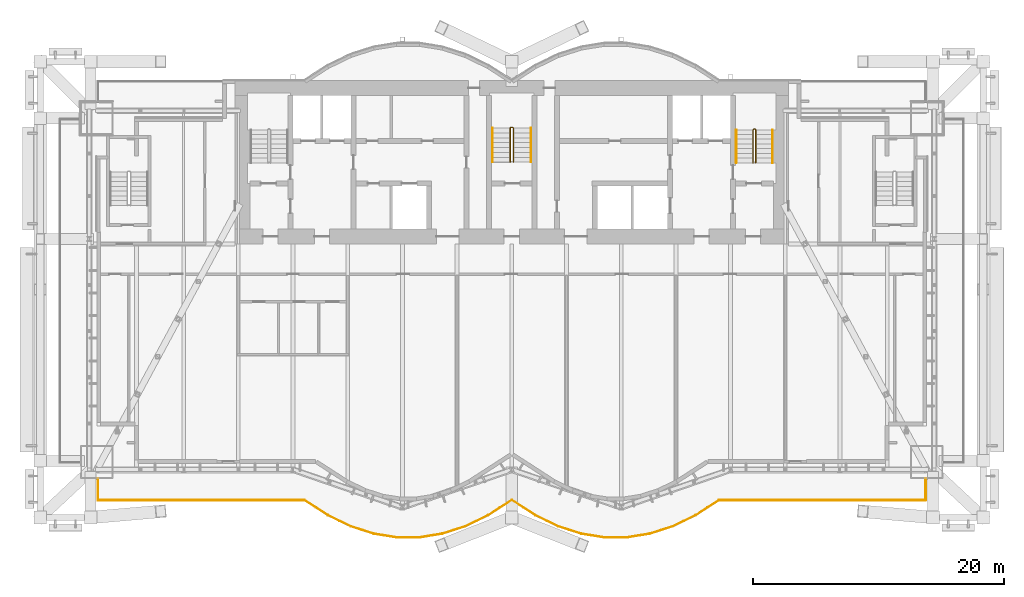
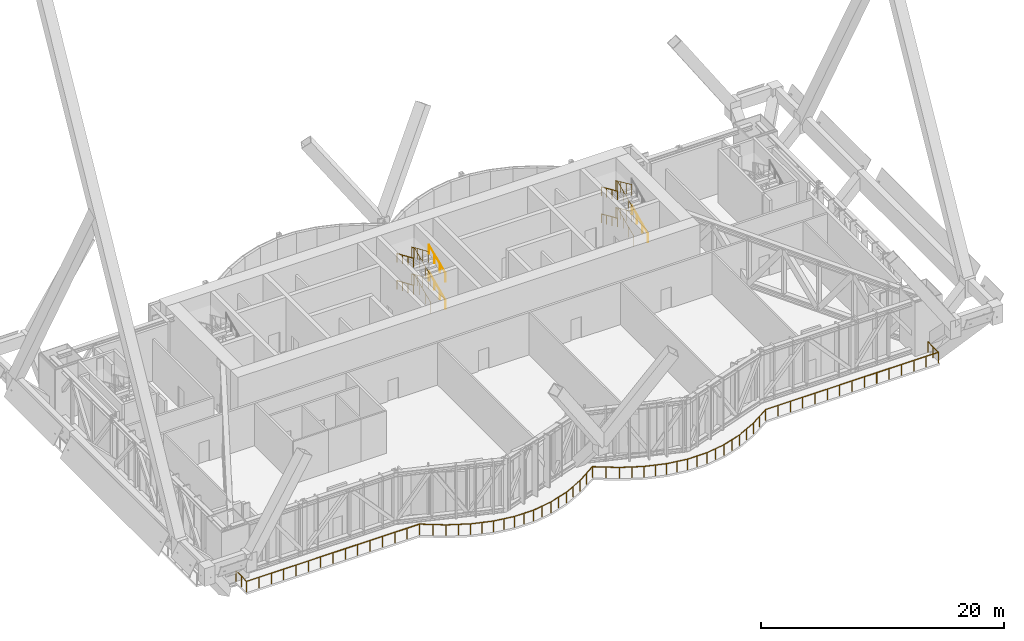
# One storey, part 29 of 30: 12 railings.
"""IFC4 building model written with IfcOpenShell, lengths in metres."""

from ifc_helpers import new_model, si_unit, direction, frame, origin, origin_2d, place, context, subcontext, project, spatial, circle, extrude, material, type_object, element, save


model = new_model("IFC4")

# Units and contexts
model_context = context("Model", 3, precision=1e-05, world=origin(), true_north=direction((0.0, 1.0)))
body_context = subcontext(model_context, "Body", "Model", "MODEL_VIEW")
ifc_project = project(units=[si_unit("LENGTHUNIT", "METRE"), si_unit("AREAUNIT", "SQUARE_METRE"), si_unit("VOLUMEUNIT", "CUBIC_METRE"), si_unit("PLANEANGLEUNIT", "RADIAN"), si_unit("MASSUNIT", "GRAM", prefix="KILO")], contexts=[model_context])

# Site, building, storey
site_placement = place(None, origin())
site = spatial("IfcSite", under=ifc_project, at=site_placement, CompositionType="ELEMENT")
building_placement = place(site_placement, origin())
building = spatial("IfcBuilding", under=site, at=building_placement, Name="Bicima Exchange Tower", CompositionType="ELEMENT")
storey_placement = place(building_placement, frame((0.0, 0.0, 185.5)))
storey = spatial("IfcBuildingStorey", under=building, at=storey_placement, Name="L41", CompositionType="ELEMENT", Elevation=185.5)

# Railings
ifc_material_1 = material(Name="Stainless steel", Category="steel")
railing_type_1 = type_object("IfcRailingType", Name="Stair guard 1100", PredefinedType="GUARDRAIL", material=ifc_material_1)
railing_1_placement = place(storey_placement, frame((0.125, -6.5, 0.168701171875)))
element("IfcRailing", 1, at=railing_1_placement, inside=storey, type_object=railing_type_1, Name="L41 ST-C stair guard 1", PredefinedType="GUARDRAIL", context=body_context, shape_type="SweptSolid", body=[
    extrude(circle(Radius=0.02392578125, at=origin_2d()), frame((0.0, 0.0, 1.076171875), z_axis=(0.0, 0.917217895875, 0.398385907741), x_axis=(-1.0, 0.0, 0.0)), (0.0, 0.0, 1.0), 2.965576171875),
    extrude(circle(Radius=0.02392578125, at=origin_2d()), frame((0.0, 2.719970703125, 2.25732421875), z_axis=(-0.707106781187, 0.707106781187, 0.0), x_axis=(-0.707106781187, -0.707106781187, 0.0)), (0.0, 0.0, 1.0), 0.07080078125),
    extrude(circle(Radius=0.02392578125, at=origin_2d()), frame((-0.050048828125, 2.77001953125, 2.25732421875), z_axis=(-1.0, 0.0, 0.0), x_axis=(0.0, -1.0, 0.0)), (0.0, 0.0, 1.0), 0.14990234375),
    extrude(circle(Radius=0.02392578125, at=origin_2d()), frame((-0.199951171875, 2.77001953125, 2.25732421875), z_axis=(-0.273569069059, -0.273569069059, 0.922127935218), x_axis=(0.707106781187, -0.707106781187, 0.0)), (0.0, 0.0, 1.0), 0.182861328125),
    extrude(circle(Radius=0.02392578125, at=origin_2d()), frame((-0.25, 2.719970703125, 2.42626953125), z_axis=(0.0, -0.917247977502, 0.398316642595), x_axis=(1.0, 0.0, 0.0)), (0.0, 0.0, 1.0), 2.96533203125),
    extrude(circle(Radius=0.02099609375, at=origin_2d()), origin(), (0.0, 0.0, 1.0), 1.052001953125),
    extrude(circle(Radius=0.02099609375, at=origin_2d()), frame((0.0, 0.90673828125, 0.393798828125)), (0.0, 0.0, 1.0), 1.052001953125),
    extrude(circle(Radius=0.02099609375, at=origin_2d()), frame((0.0, 1.813232421875, 0.78759765625)), (0.0, 0.0, 1.0), 1.052001953125),
    extrude(circle(Radius=0.02099609375, at=origin_2d()), frame((0.0, 2.719970703125, 1.181396484375)), (0.0, 0.0, 1.0), 1.052001953125),
    extrude(circle(Radius=0.02099609375, at=origin_2d()), frame((-0.050048828125, 2.77001953125, 1.181396484375)), (0.0, 0.0, 1.0), 1.052001953125),
    extrude(circle(Radius=0.02099609375, at=origin_2d()), frame((-0.199951171875, 2.77001953125, 1.181396484375)), (0.0, 0.0, 1.0), 1.052001953125),
    extrude(circle(Radius=0.02099609375, at=origin_2d()), frame((-0.25, 2.719970703125, 1.35009765625)), (0.0, 0.0, 1.0), 1.052001953125),
    extrude(circle(Radius=0.02099609375, at=origin_2d()), frame((-0.25, 1.813232421875, 1.743896484375)), (0.0, 0.0, 1.0), 1.052001953125),
    extrude(circle(Radius=0.02099609375, at=origin_2d()), frame((-0.25, 0.90673828125, 2.137451171875)), (0.0, 0.0, 1.0), 1.052001953125),
    extrude(circle(Radius=0.02099609375, at=origin_2d()), frame((-0.25, 0.0, 2.53125)), (0.0, 0.0, 1.0), 1.052001953125),
])
railing_2_placement = place(storey_placement, frame((0.125, -6.5, 2.86865234375)))
element("IfcRailing", 2, at=railing_2_placement, inside=storey, type_object=railing_type_1, Name="L41 ST-C stair guard 2", PredefinedType="GUARDRAIL", context=body_context, shape_type="SweptSolid", body=[
    extrude(circle(Radius=0.02392578125, at=origin_2d()), frame((0.0, 0.0, 1.076171875), z_axis=(0.0, 0.917217895875, 0.398385907741), x_axis=(-1.0, 0.0, 0.0)), (0.0, 0.0, 1.0), 2.965576171875),
    extrude(circle(Radius=0.02392578125, at=origin_2d()), frame((0.0, 2.719970703125, 2.25732421875), z_axis=(-0.707106781187, 0.707106781187, 0.0), x_axis=(-0.707106781187, -0.707106781187, 0.0)), (0.0, 0.0, 1.0), 0.07080078125),
    extrude(circle(Radius=0.02392578125, at=origin_2d()), frame((-0.050048828125, 2.77001953125, 2.25732421875), z_axis=(-1.0, 0.0, 0.0), x_axis=(0.0, -1.0, 0.0)), (0.0, 0.0, 1.0), 0.14990234375),
    extrude(circle(Radius=0.02392578125, at=origin_2d()), frame((-0.199951171875, 2.77001953125, 2.25732421875), z_axis=(-0.273569069059, -0.273569069059, 0.922127935218), x_axis=(0.707106781187, -0.707106781187, 0.0)), (0.0, 0.0, 1.0), 0.182861328125),
    extrude(circle(Radius=0.02392578125, at=origin_2d()), frame((-0.25, 2.719970703125, 2.42626953125), z_axis=(0.0, -0.917247977502, 0.398316642595), x_axis=(1.0, 0.0, 0.0)), (0.0, 0.0, 1.0), 2.96533203125),
    extrude(circle(Radius=0.02099609375, at=origin_2d()), origin(), (0.0, 0.0, 1.0), 1.052001953125),
    extrude(circle(Radius=0.02099609375, at=origin_2d()), frame((0.0, 0.90673828125, 0.393798828125)), (0.0, 0.0, 1.0), 1.052001953125),
    extrude(circle(Radius=0.02099609375, at=origin_2d()), frame((0.0, 1.813232421875, 0.78759765625)), (0.0, 0.0, 1.0), 1.052001953125),
    extrude(circle(Radius=0.02099609375, at=origin_2d()), frame((0.0, 2.719970703125, 1.181396484375)), (0.0, 0.0, 1.0), 1.052001953125),
    extrude(circle(Radius=0.02099609375, at=origin_2d()), frame((-0.050048828125, 2.77001953125, 1.181396484375)), (0.0, 0.0, 1.0), 1.052001953125),
    extrude(circle(Radius=0.02099609375, at=origin_2d()), frame((-0.199951171875, 2.77001953125, 1.181396484375)), (0.0, 0.0, 1.0), 1.052001953125),
    extrude(circle(Radius=0.02099609375, at=origin_2d()), frame((-0.25, 2.719970703125, 1.35009765625)), (0.0, 0.0, 1.0), 1.052001953125),
    extrude(circle(Radius=0.02099609375, at=origin_2d()), frame((-0.25, 1.813232421875, 1.743896484375)), (0.0, 0.0, 1.0), 1.052001953125),
    extrude(circle(Radius=0.02099609375, at=origin_2d()), frame((-0.25, 0.90673828125, 2.137451171875)), (0.0, 0.0, 1.0), 1.052001953125),
    extrude(circle(Radius=0.02099609375, at=origin_2d()), frame((-0.25, 0.0, 2.53125)), (0.0, 0.0, 1.0), 1.052001953125),
])
railing_3_placement = place(storey_placement, frame((19.39990234375, -6.550048828125, 0.168701171875)))
element("IfcRailing", 3, at=railing_3_placement, inside=storey, type_object=railing_type_1, Name="L41 ST-E stair guard 1", PredefinedType="GUARDRAIL", context=body_context, shape_type="SweptSolid", body=[
    extrude(circle(Radius=0.02392578125, at=origin_2d()), frame((0.0, 0.0, 1.076171875), z_axis=(0.0, 0.912201722539, 0.409741403079), x_axis=(-1.0, 0.0, 0.0)), (0.0, 0.0, 1.0), 2.88330078125),
    extrude(circle(Radius=0.02392578125, at=origin_2d()), frame((0.0, 2.630126953125, 2.25732421875), z_axis=(-0.707106781187, 0.707106781187, 0.0), x_axis=(-0.707106781187, -0.707106781187, 0.0)), (0.0, 0.0, 1.0), 0.0703125),
    extrude(circle(Radius=0.02392578125, at=origin_2d()), frame((-0.0498046875, 2.679931640625, 2.25732421875), z_axis=(-1.0, 0.0, 0.0), x_axis=(0.0, -1.0, 0.0)), (0.0, 0.0, 1.0), 0.10009765625),
    extrude(circle(Radius=0.02392578125, at=origin_2d()), frame((-0.14990234375, 2.679931640625, 2.25732421875), z_axis=(-0.273668752699, -0.272333783174, 0.922463942026), x_axis=(0.705375805398, -0.708833529934, 0.0)), (0.0, 0.0, 1.0), 0.182861328125),
    extrude(circle(Radius=0.02392578125, at=origin_2d()), frame((-0.199951171875, 2.630126953125, 2.42626953125), z_axis=(0.0, -0.912233369549, 0.409670940488), x_axis=(1.0, 0.0, 0.0)), (0.0, 0.0, 1.0), 2.883056640625),
    extrude(circle(Radius=0.02099609375, at=origin_2d()), origin(), (0.0, 0.0, 1.0), 1.052001953125),
    extrude(circle(Radius=0.02099609375, at=origin_2d()), frame((0.0, 0.876708984375, 0.393798828125)), (0.0, 0.0, 1.0), 1.052001953125),
    extrude(circle(Radius=0.02099609375, at=origin_2d()), frame((0.0, 1.75341796875, 0.78759765625)), (0.0, 0.0, 1.0), 1.052001953125),
    extrude(circle(Radius=0.02099609375, at=origin_2d()), frame((0.0, 2.630126953125, 1.181396484375)), (0.0, 0.0, 1.0), 1.052001953125),
    extrude(circle(Radius=0.02099609375, at=origin_2d()), frame((-0.0498046875, 2.679931640625, 1.181396484375)), (0.0, 0.0, 1.0), 1.052001953125),
    extrude(circle(Radius=0.02099609375, at=origin_2d()), frame((-0.14990234375, 2.679931640625, 1.181396484375)), (0.0, 0.0, 1.0), 1.052001953125),
    extrude(circle(Radius=0.02099609375, at=origin_2d()), frame((-0.199951171875, 2.630126953125, 1.35009765625)), (0.0, 0.0, 1.0), 1.052001953125),
    extrude(circle(Radius=0.02099609375, at=origin_2d()), frame((-0.199951171875, 1.75341796875, 1.743896484375)), (0.0, 0.0, 1.0), 1.052001953125),
    extrude(circle(Radius=0.02099609375, at=origin_2d()), frame((-0.199951171875, 0.876708984375, 2.137451171875)), (0.0, 0.0, 1.0), 1.052001953125),
    extrude(circle(Radius=0.02099609375, at=origin_2d()), frame((-0.199951171875, 0.0, 2.53125)), (0.0, 0.0, 1.0), 1.052001953125),
])
railing_4_placement = place(storey_placement, frame((19.39990234375, -6.550048828125, 2.86865234375)))
element("IfcRailing", 4, at=railing_4_placement, inside=storey, type_object=railing_type_1, Name="L41 ST-E stair guard 2", PredefinedType="GUARDRAIL", context=body_context, shape_type="SweptSolid", body=[
    extrude(circle(Radius=0.02392578125, at=origin_2d()), frame((0.0, 0.0, 1.076171875), z_axis=(0.0, 0.912201722539, 0.409741403079), x_axis=(-1.0, 0.0, 0.0)), (0.0, 0.0, 1.0), 2.88330078125),
    extrude(circle(Radius=0.02392578125, at=origin_2d()), frame((0.0, 2.630126953125, 2.25732421875), z_axis=(-0.707106781187, 0.707106781187, 0.0), x_axis=(-0.707106781187, -0.707106781187, 0.0)), (0.0, 0.0, 1.0), 0.0703125),
    extrude(circle(Radius=0.02392578125, at=origin_2d()), frame((-0.0498046875, 2.679931640625, 2.25732421875), z_axis=(-1.0, 0.0, 0.0), x_axis=(0.0, -1.0, 0.0)), (0.0, 0.0, 1.0), 0.10009765625),
    extrude(circle(Radius=0.02392578125, at=origin_2d()), frame((-0.14990234375, 2.679931640625, 2.25732421875), z_axis=(-0.273668752699, -0.272333783174, 0.922463942026), x_axis=(0.705375805398, -0.708833529934, 0.0)), (0.0, 0.0, 1.0), 0.182861328125),
    extrude(circle(Radius=0.02392578125, at=origin_2d()), frame((-0.199951171875, 2.630126953125, 2.42626953125), z_axis=(0.0, -0.912233369549, 0.409670940488), x_axis=(1.0, 0.0, 0.0)), (0.0, 0.0, 1.0), 2.883056640625),
    extrude(circle(Radius=0.02099609375, at=origin_2d()), origin(), (0.0, 0.0, 1.0), 1.052001953125),
    extrude(circle(Radius=0.02099609375, at=origin_2d()), frame((0.0, 0.876708984375, 0.393798828125)), (0.0, 0.0, 1.0), 1.052001953125),
    extrude(circle(Radius=0.02099609375, at=origin_2d()), frame((0.0, 1.75341796875, 0.78759765625)), (0.0, 0.0, 1.0), 1.052001953125),
    extrude(circle(Radius=0.02099609375, at=origin_2d()), frame((0.0, 2.630126953125, 1.181396484375)), (0.0, 0.0, 1.0), 1.052001953125),
    extrude(circle(Radius=0.02099609375, at=origin_2d()), frame((-0.0498046875, 2.679931640625, 1.181396484375)), (0.0, 0.0, 1.0), 1.052001953125),
    extrude(circle(Radius=0.02099609375, at=origin_2d()), frame((-0.14990234375, 2.679931640625, 1.181396484375)), (0.0, 0.0, 1.0), 1.052001953125),
    extrude(circle(Radius=0.02099609375, at=origin_2d()), frame((-0.199951171875, 2.630126953125, 1.35009765625)), (0.0, 0.0, 1.0), 1.052001953125),
    extrude(circle(Radius=0.02099609375, at=origin_2d()), frame((-0.199951171875, 1.75341796875, 1.743896484375)), (0.0, 0.0, 1.0), 1.052001953125),
    extrude(circle(Radius=0.02099609375, at=origin_2d()), frame((-0.199951171875, 0.876708984375, 2.137451171875)), (0.0, 0.0, 1.0), 1.052001953125),
    extrude(circle(Radius=0.02099609375, at=origin_2d()), frame((-0.199951171875, 0.0, 2.53125)), (0.0, 0.0, 1.0), 1.052001953125),
])
railing_type_2 = type_object("IfcRailingType", Name="Stair handrail 900", PredefinedType="HANDRAIL", material=ifc_material_1)
railing_5_placement = place(storey_placement, frame((1.52490234375, -6.5, 0.168701171875)))
element("IfcRailing", 5, at=railing_5_placement, inside=storey, type_object=railing_type_2, Name="L41 ST-C stair handrail 1", PredefinedType="HANDRAIL", context=body_context, shape_type="SweptSolid", body=[
    extrude(circle(Radius=0.02392578125, at=origin_2d()), frame((0.0, 0.0, 0.8759765625), z_axis=(0.0, 0.917217895875, 0.398385907741), x_axis=(-1.0, 0.0, 0.0)), (0.0, 0.0, 1.0), 2.965576171875),
    extrude(circle(Radius=0.02099609375, at=origin_2d()), origin(), (0.0, 0.0, 1.0), 0.851806640625),
    extrude(circle(Radius=0.02099609375, at=origin_2d()), frame((0.0, 0.90673828125, 0.393798828125)), (0.0, 0.0, 1.0), 0.851806640625),
    extrude(circle(Radius=0.02099609375, at=origin_2d()), frame((0.0, 1.813232421875, 0.78759765625)), (0.0, 0.0, 1.0), 0.851806640625),
    extrude(circle(Radius=0.02099609375, at=origin_2d()), frame((0.0, 2.719970703125, 1.181396484375)), (0.0, 0.0, 1.0), 0.851806640625),
])
railing_6_placement = place(storey_placement, frame((-1.52490234375, -3.780029296875, 1.518798828125)))
element("IfcRailing", 6, at=railing_6_placement, inside=storey, type_object=railing_type_2, Name="L41 ST-C stair handrail 2", PredefinedType="HANDRAIL", context=body_context, shape_type="SweptSolid", body=[
    extrude(circle(Radius=0.02392578125, at=origin_2d()), frame((0.0, 0.0, 0.8759765625), z_axis=(0.0, -0.917247977502, 0.398316642595), x_axis=(1.0, 0.0, 0.0)), (0.0, 0.0, 1.0), 2.96533203125),
    extrude(circle(Radius=0.02099609375, at=origin_2d()), origin(), (0.0, 0.0, 1.0), 0.851806640625),
    extrude(circle(Radius=0.02099609375, at=origin_2d()), frame((0.0, -0.90673828125, 0.393798828125)), (0.0, 0.0, 1.0), 0.851806640625),
    extrude(circle(Radius=0.02099609375, at=origin_2d()), frame((0.0, -1.813232421875, 0.787353515625)), (0.0, 0.0, 1.0), 0.851806640625),
    extrude(circle(Radius=0.02099609375, at=origin_2d()), frame((0.0, -2.719970703125, 1.18115234375)), (0.0, 0.0, 1.0), 0.851806640625),
])
railing_7_placement = place(storey_placement, frame((1.52490234375, -6.5, 2.86865234375)))
element("IfcRailing", 7, at=railing_7_placement, inside=storey, type_object=railing_type_2, Name="L41 ST-C stair handrail 3", PredefinedType="HANDRAIL", context=body_context, shape_type="SweptSolid", body=[
    extrude(circle(Radius=0.02392578125, at=origin_2d()), frame((0.0, 0.0, 0.8759765625), z_axis=(0.0, 0.917217895875, 0.398385907741), x_axis=(-1.0, 0.0, 0.0)), (0.0, 0.0, 1.0), 2.965576171875),
    extrude(circle(Radius=0.02099609375, at=origin_2d()), origin(), (0.0, 0.0, 1.0), 0.851806640625),
    extrude(circle(Radius=0.02099609375, at=origin_2d()), frame((0.0, 0.90673828125, 0.393798828125)), (0.0, 0.0, 1.0), 0.851806640625),
    extrude(circle(Radius=0.02099609375, at=origin_2d()), frame((0.0, 1.813232421875, 0.78759765625)), (0.0, 0.0, 1.0), 0.851806640625),
    extrude(circle(Radius=0.02099609375, at=origin_2d()), frame((0.0, 2.719970703125, 1.181396484375)), (0.0, 0.0, 1.0), 0.851806640625),
])
railing_8_placement = place(storey_placement, frame((-1.52490234375, -3.780029296875, 4.241455078125)))
element("IfcRailing", 8, at=railing_8_placement, inside=storey, type_object=railing_type_2, Name="L41 ST-C stair handrail 4", PredefinedType="HANDRAIL", context=body_context, shape_type="SweptSolid", body=[
    extrude(circle(Radius=0.02392578125, at=origin_2d()), frame((0.0, 0.0, 0.8759765625), z_axis=(0.0, -0.917217895875, 0.398385907741), x_axis=(1.0, 0.0, 0.0)), (0.0, 0.0, 1.0), 2.965576171875),
    extrude(circle(Radius=0.02099609375, at=origin_2d()), origin(), (0.0, 0.0, 1.0), 0.851806640625),
    extrude(circle(Radius=0.02099609375, at=origin_2d()), frame((0.0, -0.90673828125, 0.393798828125)), (0.0, 0.0, 1.0), 0.851806640625),
    extrude(circle(Radius=0.02099609375, at=origin_2d()), frame((0.0, -1.813232421875, 0.78759765625)), (0.0, 0.0, 1.0), 0.851806640625),
    extrude(circle(Radius=0.02099609375, at=origin_2d()), frame((0.0, -2.719970703125, 1.181396484375)), (0.0, 0.0, 1.0), 0.851806640625),
])
railing_9_placement = place(storey_placement, frame((20.75, -6.550048828125, 0.168701171875)))
element("IfcRailing", 9, at=railing_9_placement, inside=storey, type_object=railing_type_2, Name="L41 ST-E stair handrail 1", PredefinedType="HANDRAIL", context=body_context, shape_type="SweptSolid", body=[
    extrude(circle(Radius=0.02392578125, at=origin_2d()), frame((0.0, 0.0, 0.8759765625), z_axis=(0.0, 0.912201722539, 0.409741403079), x_axis=(-1.0, 0.0, 0.0)), (0.0, 0.0, 1.0), 2.88330078125),
    extrude(circle(Radius=0.02099609375, at=origin_2d()), origin(), (0.0, 0.0, 1.0), 0.851806640625),
    extrude(circle(Radius=0.02099609375, at=origin_2d()), frame((0.0, 0.876708984375, 0.393798828125)), (0.0, 0.0, 1.0), 0.851806640625),
    extrude(circle(Radius=0.02099609375, at=origin_2d()), frame((0.0, 1.75341796875, 0.78759765625)), (0.0, 0.0, 1.0), 0.851806640625),
    extrude(circle(Radius=0.02099609375, at=origin_2d()), frame((0.0, 2.630126953125, 1.181396484375)), (0.0, 0.0, 1.0), 0.851806640625),
])
railing_10_placement = place(storey_placement, frame((17.85009765625, -3.919921875, 1.518798828125)))
element("IfcRailing", 10, at=railing_10_placement, inside=storey, type_object=railing_type_2, Name="L41 ST-E stair handrail 2", PredefinedType="HANDRAIL", context=body_context, shape_type="SweptSolid", body=[
    extrude(circle(Radius=0.02392578125, at=origin_2d()), frame((0.0, 0.0, 0.8759765625), z_axis=(0.0, -0.912233369549, 0.409670940488), x_axis=(1.0, 0.0, 0.0)), (0.0, 0.0, 1.0), 2.883056640625),
    extrude(circle(Radius=0.02099609375, at=origin_2d()), origin(), (0.0, 0.0, 1.0), 0.851806640625),
    extrude(circle(Radius=0.02099609375, at=origin_2d()), frame((0.0, -0.876708984375, 0.393798828125)), (0.0, 0.0, 1.0), 0.851806640625),
    extrude(circle(Radius=0.02099609375, at=origin_2d()), frame((0.0, -1.75341796875, 0.787353515625)), (0.0, 0.0, 1.0), 0.851806640625),
    extrude(circle(Radius=0.02099609375, at=origin_2d()), frame((0.0, -2.630126953125, 1.18115234375)), (0.0, 0.0, 1.0), 0.851806640625),
])
railing_11_placement = place(storey_placement, frame((17.85009765625, -3.919921875, 4.241455078125)))
element("IfcRailing", 11, at=railing_11_placement, inside=storey, type_object=railing_type_2, Name="L41 ST-E stair handrail 4", PredefinedType="HANDRAIL", context=body_context, shape_type="SweptSolid", body=[
    extrude(circle(Radius=0.02392578125, at=origin_2d()), frame((0.0, 0.0, 0.8759765625), z_axis=(0.0, -0.912201722539, 0.409741403079), x_axis=(1.0, 0.0, 0.0)), (0.0, 0.0, 1.0), 2.88330078125),
    extrude(circle(Radius=0.02099609375, at=origin_2d()), origin(), (0.0, 0.0, 1.0), 0.851806640625),
    extrude(circle(Radius=0.02099609375, at=origin_2d()), frame((0.0, -0.876708984375, 0.393798828125)), (0.0, 0.0, 1.0), 0.851806640625),
    extrude(circle(Radius=0.02099609375, at=origin_2d()), frame((0.0, -1.75341796875, 0.78759765625)), (0.0, 0.0, 1.0), 0.851806640625),
    extrude(circle(Radius=0.02099609375, at=origin_2d()), frame((0.0, -2.630126953125, 1.181396484375)), (0.0, 0.0, 1.0), 0.851806640625),
])
ifc_material_2 = material(Name="Stainless steel and bonded safety glass", Category="steel")
railing_type_3 = type_object("IfcRailingType", Name="Terrace guard 1100", PredefinedType="GUARDRAIL", material=ifc_material_2)
railing_12_placement = place(storey_placement, frame((32.919921875, -31.637939453125, 0.0)))
element("IfcRailing", 12, at=railing_12_placement, inside=storey, type_object=railing_type_3, Name="Terrace guard L41 5", PredefinedType="GUARDRAIL", context=body_context, shape_type="SweptSolid", body=[
    extrude(circle(Radius=0.02392578125, at=origin_2d()), frame((0.0, 0.0, 1.076171875), z_axis=(0.0, -1.0, 0.0), x_axis=(1.0, 0.0, 0.0)), (0.0, 0.0, 1.0), 1.741943359375),
    extrude(circle(Radius=0.02392578125, at=origin_2d()), frame((0.0, -1.741943359375, 1.076171875), z_axis=(-1.0, 0.0, 0.0), x_axis=(0.0, -1.0, 0.0)), (0.0, 0.0, 1.0), 16.443603515625),
    extrude(circle(Radius=0.02392578125, at=origin_2d()), frame((-16.443603515625, -1.741943359375, 1.076171875), z_axis=(-0.839730768212, -0.54300298058, 0.0), x_axis=(0.54300298058, -0.839730768212, 0.0)), (0.0, 0.0, 1.0), 2.20166015625),
    extrude(circle(Radius=0.02392578125, at=origin_2d()), frame((-18.29248046875, -2.9375, 1.076171875), z_axis=(-0.899828434483, -0.436243955253, 0.0), x_axis=(0.436243955253, -0.899828434483, 0.0)), (0.0, 0.0, 1.0), 2.027099609375),
    extrude(circle(Radius=0.02392578125, at=origin_2d()), frame((-20.116455078125, -3.82177734375, 1.076171875), z_axis=(-0.951549885168, -0.307494416268, 0.0), x_axis=(0.307494416268, -0.951549885168, 0.0)), (0.0, 0.0, 1.0), 1.9150390625),
    extrude(circle(Radius=0.02392578125, at=origin_2d()), frame((-21.938720703125, -4.41064453125, 1.076171875), z_axis=(-0.987176602657, -0.159631936552, 0.0), x_axis=(0.159631936552, -0.987176602657, 0.0)), (0.0, 0.0, 1.0), 1.844482421875),
    extrude(circle(Radius=0.02392578125, at=origin_2d()), frame((-23.759521484375, -4.705078125, 1.076171875), z_axis=(-1.0, 0.0, 0.0), x_axis=(0.0, -1.0, 0.0)), (0.0, 0.0, 1.0), 1.82080078125),
    extrude(circle(Radius=0.02392578125, at=origin_2d()), frame((-25.580322265625, -4.705078125, 1.076171875), z_axis=(-0.987176602657, 0.159631936552, 0.0), x_axis=(-0.159631936552, -0.987176602657, 0.0)), (0.0, 0.0, 1.0), 1.844482421875),
    extrude(circle(Radius=0.02392578125, at=origin_2d()), frame((-27.401123046875, -4.41064453125, 1.076171875), z_axis=(-0.951549885168, 0.307494416268, 0.0), x_axis=(-0.307494416268, -0.951549885168, 0.0)), (0.0, 0.0, 1.0), 1.9150390625),
    extrude(circle(Radius=0.02392578125, at=origin_2d()), frame((-29.223388671875, -3.82177734375, 1.076171875), z_axis=(-0.899828434483, 0.436243955253, 0.0), x_axis=(-0.436243955253, -0.899828434483, 0.0)), (0.0, 0.0, 1.0), 2.027099609375),
    extrude(circle(Radius=0.02392578125, at=origin_2d()), frame((-31.04736328125, -2.9375, 1.076171875), z_axis=(-0.839766911995, 0.542947081693, 0.0), x_axis=(-0.542947081693, -0.839766911995, 0.0)), (0.0, 0.0, 1.0), 2.229736328125),
    extrude(circle(Radius=0.02392578125, at=origin_2d()), frame((-32.919921875, -1.726806640625, 1.076171875), z_axis=(-0.839766911995, -0.542947081693, 0.0), x_axis=(0.542947081693, -0.839766911995, 0.0)), (0.0, 0.0, 1.0), 2.229736328125),
    extrude(circle(Radius=0.02392578125, at=origin_2d()), frame((-34.79248046875, -2.9375, 1.076171875), z_axis=(-0.899828434483, -0.436243955253, 0.0), x_axis=(0.436243955253, -0.899828434483, 0.0)), (0.0, 0.0, 1.0), 2.027099609375),
    extrude(circle(Radius=0.02392578125, at=origin_2d()), frame((-36.616455078125, -3.82177734375, 1.076171875), z_axis=(-0.951549885168, -0.307494416268, 0.0), x_axis=(0.307494416268, -0.951549885168, 0.0)), (0.0, 0.0, 1.0), 1.9150390625),
    extrude(circle(Radius=0.02392578125, at=origin_2d()), frame((-38.438720703125, -4.41064453125, 1.076171875), z_axis=(-0.987176602657, -0.159631936552, 0.0), x_axis=(0.159631936552, -0.987176602657, 0.0)), (0.0, 0.0, 1.0), 1.844482421875),
    extrude(circle(Radius=0.02392578125, at=origin_2d()), frame((-40.259521484375, -4.705078125, 1.076171875), z_axis=(-1.0, 0.0, 0.0), x_axis=(0.0, -1.0, 0.0)), (0.0, 0.0, 1.0), 1.82080078125),
    extrude(circle(Radius=0.02392578125, at=origin_2d()), frame((-42.080322265625, -4.705078125, 1.076171875), z_axis=(-0.987176602657, 0.159631936552, 0.0), x_axis=(-0.159631936552, -0.987176602657, 0.0)), (0.0, 0.0, 1.0), 1.844482421875),
    extrude(circle(Radius=0.02392578125, at=origin_2d()), frame((-43.901123046875, -4.41064453125, 1.076171875), z_axis=(-0.951549885168, 0.307494416268, 0.0), x_axis=(-0.307494416268, -0.951549885168, 0.0)), (0.0, 0.0, 1.0), 1.9150390625),
    extrude(circle(Radius=0.02392578125, at=origin_2d()), frame((-45.723388671875, -3.82177734375, 1.076171875), z_axis=(-0.899828434483, 0.436243955253, 0.0), x_axis=(-0.436243955253, -0.899828434483, 0.0)), (0.0, 0.0, 1.0), 2.027099609375),
    extrude(circle(Radius=0.02392578125, at=origin_2d()), frame((-47.54736328125, -2.9375, 1.076171875), z_axis=(-0.839730768212, 0.54300298058, 0.0), x_axis=(-0.54300298058, -0.839730768212, 0.0)), (0.0, 0.0, 1.0), 2.20166015625),
    extrude(circle(Radius=0.02392578125, at=origin_2d()), frame((-49.396240234375, -1.741943359375, 1.076171875), z_axis=(-1.0, 0.0, 0.0), x_axis=(0.0, -1.0, 0.0)), (0.0, 0.0, 1.0), 16.443603515625),
    extrude(circle(Radius=0.02392578125, at=origin_2d()), frame((-65.83984375, -1.741943359375, 1.076171875), z_axis=(0.0, 1.0, 0.0), x_axis=(-1.0, 0.0, 0.0)), (0.0, 0.0, 1.0), 1.741943359375),
    extrude(circle(Radius=0.02099609375, at=origin_2d()), origin(), (0.0, 0.0, 1.0), 1.052001953125),
    extrude(circle(Radius=0.02099609375, at=origin_2d()), frame((0.0, -0.87109375, 0.0)), (0.0, 0.0, 1.0), 1.052001953125),
    extrude(circle(Radius=0.02099609375, at=origin_2d()), frame((0.0, -1.741943359375, 0.0)), (0.0, 0.0, 1.0), 1.052001953125),
    extrude(circle(Radius=0.02099609375, at=origin_2d()), frame((-1.174560546875, -1.741943359375, 0.0)), (0.0, 0.0, 1.0), 1.052001953125),
    extrude(circle(Radius=0.02099609375, at=origin_2d()), frame((-2.34912109375, -1.741943359375, 0.0)), (0.0, 0.0, 1.0), 1.052001953125),
    extrude(circle(Radius=0.02099609375, at=origin_2d()), frame((-3.523681640625, -1.741943359375, 0.0)), (0.0, 0.0, 1.0), 1.052001953125),
    extrude(circle(Radius=0.02099609375, at=origin_2d()), frame((-4.6982421875, -1.741943359375, 0.0)), (0.0, 0.0, 1.0), 1.052001953125),
    extrude(circle(Radius=0.02099609375, at=origin_2d()), frame((-5.872802734375, -1.741943359375, 0.0)), (0.0, 0.0, 1.0), 1.052001953125),
    extrude(circle(Radius=0.02099609375, at=origin_2d()), frame((-7.04736328125, -1.741943359375, 0.0)), (0.0, 0.0, 1.0), 1.052001953125),
    extrude(circle(Radius=0.02099609375, at=origin_2d()), frame((-8.2216796875, -1.741943359375, 0.0)), (0.0, 0.0, 1.0), 1.052001953125),
    extrude(circle(Radius=0.02099609375, at=origin_2d()), frame((-9.396240234375, -1.741943359375, 0.0)), (0.0, 0.0, 1.0), 1.052001953125),
    extrude(circle(Radius=0.02099609375, at=origin_2d()), frame((-10.57080078125, -1.741943359375, 0.0)), (0.0, 0.0, 1.0), 1.052001953125),
    extrude(circle(Radius=0.02099609375, at=origin_2d()), frame((-11.745361328125, -1.741943359375, 0.0)), (0.0, 0.0, 1.0), 1.052001953125),
    extrude(circle(Radius=0.02099609375, at=origin_2d()), frame((-12.919921875, -1.741943359375, 0.0)), (0.0, 0.0, 1.0), 1.052001953125),
    extrude(circle(Radius=0.02099609375, at=origin_2d()), frame((-14.094482421875, -1.741943359375, 0.0)), (0.0, 0.0, 1.0), 1.052001953125),
    extrude(circle(Radius=0.02099609375, at=origin_2d()), frame((-15.26904296875, -1.741943359375, 0.0)), (0.0, 0.0, 1.0), 1.052001953125),
    extrude(circle(Radius=0.02099609375, at=origin_2d()), frame((-16.443603515625, -1.741943359375, 0.0)), (0.0, 0.0, 1.0), 1.052001953125),
    extrude(circle(Radius=0.02099609375, at=origin_2d()), frame((-17.3681640625, -2.33984375, 0.0)), (0.0, 0.0, 1.0), 1.052001953125),
    extrude(circle(Radius=0.02099609375, at=origin_2d()), frame((-18.29248046875, -2.9375, 0.0)), (0.0, 0.0, 1.0), 1.052001953125),
    extrude(circle(Radius=0.02099609375, at=origin_2d()), frame((-19.20458984375, -3.379638671875, 0.0)), (0.0, 0.0, 1.0), 1.052001953125),
    extrude(circle(Radius=0.02099609375, at=origin_2d()), frame((-20.116455078125, -3.82177734375, 0.0)), (0.0, 0.0, 1.0), 1.052001953125),
    extrude(circle(Radius=0.02099609375, at=origin_2d()), frame((-21.027587890625, -4.1162109375, 0.0)), (0.0, 0.0, 1.0), 1.052001953125),
    extrude(circle(Radius=0.02099609375, at=origin_2d()), frame((-21.938720703125, -4.41064453125, 0.0)), (0.0, 0.0, 1.0), 1.052001953125),
    extrude(circle(Radius=0.02099609375, at=origin_2d()), frame((-22.84912109375, -4.557861328125, 0.0)), (0.0, 0.0, 1.0), 1.052001953125),
    extrude(circle(Radius=0.02099609375, at=origin_2d()), frame((-23.759521484375, -4.705078125, 0.0)), (0.0, 0.0, 1.0), 1.052001953125),
    extrude(circle(Radius=0.02099609375, at=origin_2d()), frame((-24.669921875, -4.705078125, 0.0)), (0.0, 0.0, 1.0), 1.052001953125),
    extrude(circle(Radius=0.02099609375, at=origin_2d()), frame((-25.580322265625, -4.705078125, 0.0)), (0.0, 0.0, 1.0), 1.052001953125),
    extrude(circle(Radius=0.02099609375, at=origin_2d()), frame((-26.49072265625, -4.557861328125, 0.0)), (0.0, 0.0, 1.0), 1.052001953125),
    extrude(circle(Radius=0.02099609375, at=origin_2d()), frame((-27.401123046875, -4.41064453125, 0.0)), (0.0, 0.0, 1.0), 1.052001953125),
    extrude(circle(Radius=0.02099609375, at=origin_2d()), frame((-28.312255859375, -4.1162109375, 0.0)), (0.0, 0.0, 1.0), 1.052001953125),
    extrude(circle(Radius=0.02099609375, at=origin_2d()), frame((-29.223388671875, -3.82177734375, 0.0)), (0.0, 0.0, 1.0), 1.052001953125),
    extrude(circle(Radius=0.02099609375, at=origin_2d()), frame((-30.13525390625, -3.379638671875, 0.0)), (0.0, 0.0, 1.0), 1.052001953125),
    extrude(circle(Radius=0.02099609375, at=origin_2d()), frame((-31.04736328125, -2.9375, 0.0)), (0.0, 0.0, 1.0), 1.052001953125),
    extrude(circle(Radius=0.02099609375, at=origin_2d()), frame((-31.983642578125, -2.33203125, 0.0)), (0.0, 0.0, 1.0), 1.052001953125),
    extrude(circle(Radius=0.02099609375, at=origin_2d()), frame((-32.919921875, -1.726806640625, 0.0)), (0.0, 0.0, 1.0), 1.052001953125),
    extrude(circle(Radius=0.02099609375, at=origin_2d()), frame((-33.856201171875, -2.33203125, 0.0)), (0.0, 0.0, 1.0), 1.052001953125),
    extrude(circle(Radius=0.02099609375, at=origin_2d()), frame((-34.79248046875, -2.9375, 0.0)), (0.0, 0.0, 1.0), 1.052001953125),
    extrude(circle(Radius=0.02099609375, at=origin_2d()), frame((-35.70458984375, -3.379638671875, 0.0)), (0.0, 0.0, 1.0), 1.052001953125),
    extrude(circle(Radius=0.02099609375, at=origin_2d()), frame((-36.616455078125, -3.82177734375, 0.0)), (0.0, 0.0, 1.0), 1.052001953125),
    extrude(circle(Radius=0.02099609375, at=origin_2d()), frame((-37.527587890625, -4.1162109375, 0.0)), (0.0, 0.0, 1.0), 1.052001953125),
    extrude(circle(Radius=0.02099609375, at=origin_2d()), frame((-38.438720703125, -4.41064453125, 0.0)), (0.0, 0.0, 1.0), 1.052001953125),
    extrude(circle(Radius=0.02099609375, at=origin_2d()), frame((-39.34912109375, -4.557861328125, 0.0)), (0.0, 0.0, 1.0), 1.052001953125),
    extrude(circle(Radius=0.02099609375, at=origin_2d()), frame((-40.259521484375, -4.705078125, 0.0)), (0.0, 0.0, 1.0), 1.052001953125),
    extrude(circle(Radius=0.02099609375, at=origin_2d()), frame((-41.169921875, -4.705078125, 0.0)), (0.0, 0.0, 1.0), 1.052001953125),
    extrude(circle(Radius=0.02099609375, at=origin_2d()), frame((-42.080322265625, -4.705078125, 0.0)), (0.0, 0.0, 1.0), 1.052001953125),
    extrude(circle(Radius=0.02099609375, at=origin_2d()), frame((-42.99072265625, -4.557861328125, 0.0)), (0.0, 0.0, 1.0), 1.052001953125),
    extrude(circle(Radius=0.02099609375, at=origin_2d()), frame((-43.901123046875, -4.41064453125, 0.0)), (0.0, 0.0, 1.0), 1.052001953125),
    extrude(circle(Radius=0.02099609375, at=origin_2d()), frame((-44.812255859375, -4.1162109375, 0.0)), (0.0, 0.0, 1.0), 1.052001953125),
    extrude(circle(Radius=0.02099609375, at=origin_2d()), frame((-45.723388671875, -3.82177734375, 0.0)), (0.0, 0.0, 1.0), 1.052001953125),
    extrude(circle(Radius=0.02099609375, at=origin_2d()), frame((-46.63525390625, -3.379638671875, 0.0)), (0.0, 0.0, 1.0), 1.052001953125),
    extrude(circle(Radius=0.02099609375, at=origin_2d()), frame((-47.54736328125, -2.9375, 0.0)), (0.0, 0.0, 1.0), 1.052001953125),
    extrude(circle(Radius=0.02099609375, at=origin_2d()), frame((-48.4716796875, -2.33984375, 0.0)), (0.0, 0.0, 1.0), 1.052001953125),
    extrude(circle(Radius=0.02099609375, at=origin_2d()), frame((-49.396240234375, -1.741943359375, 0.0)), (0.0, 0.0, 1.0), 1.052001953125),
    extrude(circle(Radius=0.02099609375, at=origin_2d()), frame((-50.57080078125, -1.741943359375, 0.0)), (0.0, 0.0, 1.0), 1.052001953125),
    extrude(circle(Radius=0.02099609375, at=origin_2d()), frame((-51.745361328125, -1.741943359375, 0.0)), (0.0, 0.0, 1.0), 1.052001953125),
    extrude(circle(Radius=0.02099609375, at=origin_2d()), frame((-52.919921875, -1.741943359375, 0.0)), (0.0, 0.0, 1.0), 1.052001953125),
    extrude(circle(Radius=0.02099609375, at=origin_2d()), frame((-54.094482421875, -1.741943359375, 0.0)), (0.0, 0.0, 1.0), 1.052001953125),
    extrude(circle(Radius=0.02099609375, at=origin_2d()), frame((-55.26904296875, -1.741943359375, 0.0)), (0.0, 0.0, 1.0), 1.052001953125),
    extrude(circle(Radius=0.02099609375, at=origin_2d()), frame((-56.443603515625, -1.741943359375, 0.0)), (0.0, 0.0, 1.0), 1.052001953125),
    extrude(circle(Radius=0.02099609375, at=origin_2d()), frame((-57.6181640625, -1.741943359375, 0.0)), (0.0, 0.0, 1.0), 1.052001953125),
    extrude(circle(Radius=0.02099609375, at=origin_2d()), frame((-58.79248046875, -1.741943359375, 0.0)), (0.0, 0.0, 1.0), 1.052001953125),
    extrude(circle(Radius=0.02099609375, at=origin_2d()), frame((-59.967041015625, -1.741943359375, 0.0)), (0.0, 0.0, 1.0), 1.052001953125),
    extrude(circle(Radius=0.02099609375, at=origin_2d()), frame((-61.1416015625, -1.741943359375, 0.0)), (0.0, 0.0, 1.0), 1.052001953125),
    extrude(circle(Radius=0.02099609375, at=origin_2d()), frame((-62.316162109375, -1.741943359375, 0.0)), (0.0, 0.0, 1.0), 1.052001953125),
    extrude(circle(Radius=0.02099609375, at=origin_2d()), frame((-63.49072265625, -1.741943359375, 0.0)), (0.0, 0.0, 1.0), 1.052001953125),
    extrude(circle(Radius=0.02099609375, at=origin_2d()), frame((-64.665283203125, -1.741943359375, 0.0)), (0.0, 0.0, 1.0), 1.052001953125),
    extrude(circle(Radius=0.02099609375, at=origin_2d()), frame((-65.83984375, -1.741943359375, 0.0)), (0.0, 0.0, 1.0), 1.052001953125),
    extrude(circle(Radius=0.02099609375, at=origin_2d()), frame((-65.83984375, -0.87109375, 0.0)), (0.0, 0.0, 1.0), 1.052001953125),
    extrude(circle(Radius=0.02099609375, at=origin_2d()), frame((-65.83984375, 0.0, 0.0)), (0.0, 0.0, 1.0), 1.052001953125),
])

save(model, "model.ifc")
